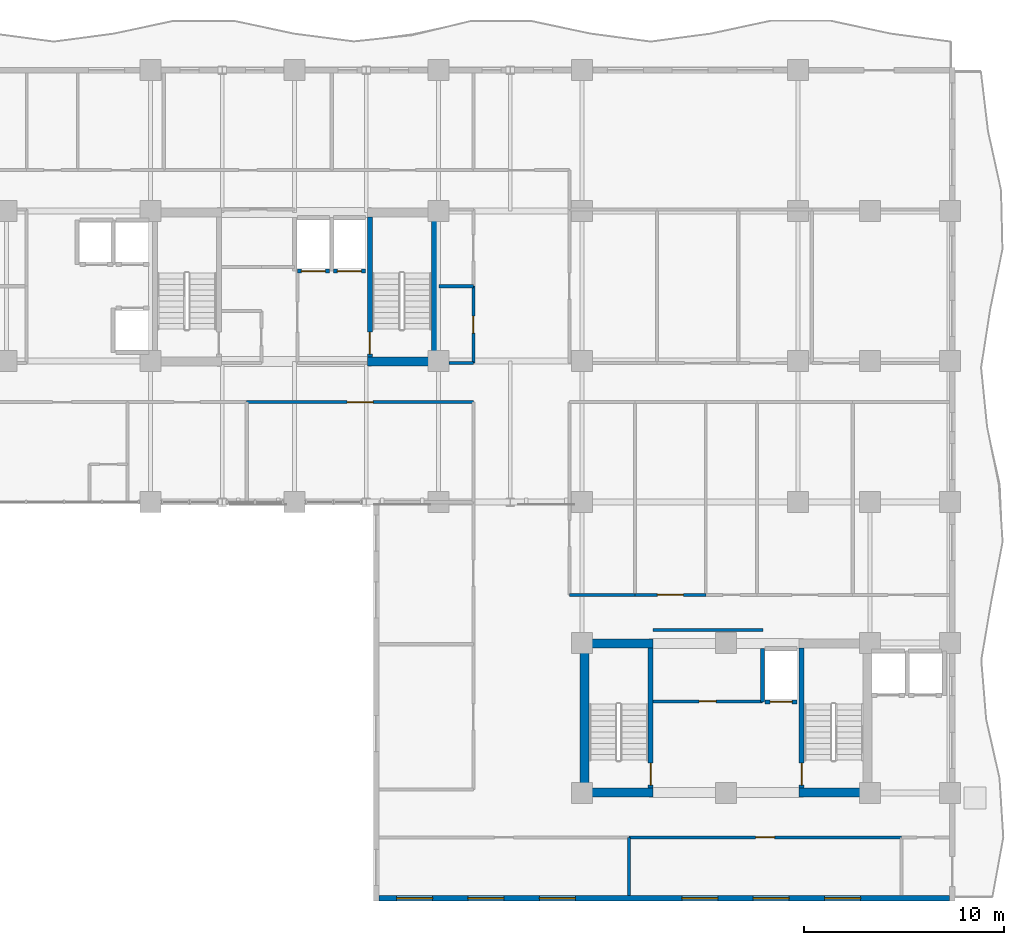
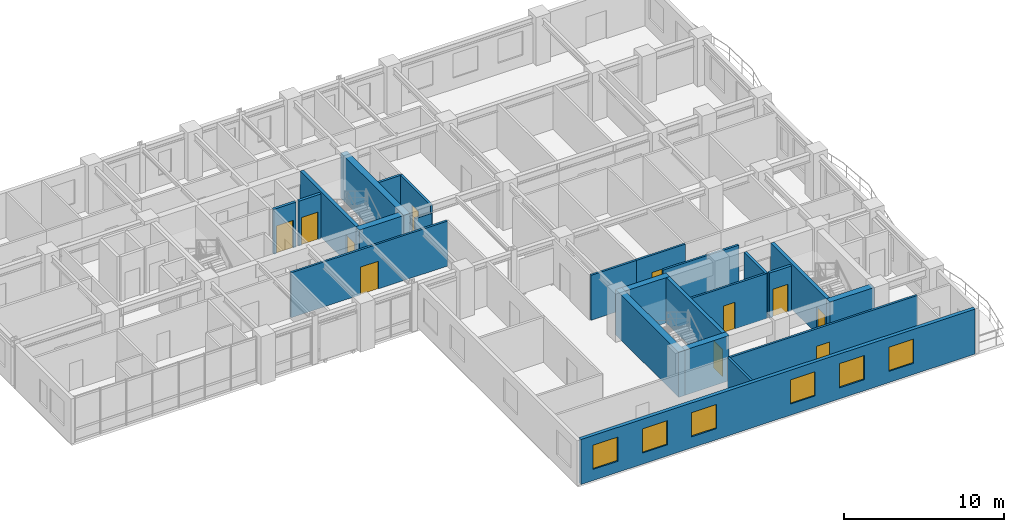
# One storey, part 10 of 17: 24 walls, 11 doors, 6 windows, 17 openings.
"""IFC4 building model written with IfcOpenShell, lengths in metres."""

from ifc_helpers import new_model, si_unit, direction, frame, frame_2d, origin, place, context, subcontext, project, spatial, rectangle, extrude, material, layer, layer_set, type_object, element, fill, save


model = new_model("IFC4")

# Units and contexts
model_context = context("Model", 3, precision=1e-05, world=origin(), true_north=direction((0.0, 1.0)))
body_context = subcontext(model_context, "Body", "Model", "MODEL_VIEW")
ifc_project = project(units=[si_unit("LENGTHUNIT", "METRE"), si_unit("AREAUNIT", "SQUARE_METRE"), si_unit("VOLUMEUNIT", "CUBIC_METRE"), si_unit("PLANEANGLEUNIT", "RADIAN"), si_unit("MASSUNIT", "GRAM", prefix="KILO")], contexts=[model_context])

# Site, building, storey
site_placement = place(None, origin())
site = spatial("IfcSite", under=ifc_project, at=site_placement, CompositionType="ELEMENT")
building_placement = place(site_placement, origin())
building = spatial("IfcBuilding", under=site, at=building_placement, Name="Kaliganga Portal Commons", CompositionType="ELEMENT")
storey_placement = place(building_placement, frame((0.0, 0.0, 143.89990234375)))
storey = spatial("IfcBuildingStorey", under=building, at=storey_placement, Name="L36", CompositionType="ELEMENT", Elevation=143.89990234375)

# Walls
ifc_material_1 = material(Name="Concrete C60/75", Category="concrete")
ifc_layer_1 = layer(ifc_material_1, 0.449951171875)
ifc_layer_set_1 = layer_set([ifc_layer_1], Name="Concrete C60/75")
wall_type_1 = type_object("IfcWallType", Name="WL-CORE-450", PredefinedType="SHEAR", material=ifc_layer_set_1)
wall_1_placement = place(storey_placement, frame((28.675048828125, 28.39990234375, 0.0), z_axis=(0.0, 0.0, 1.0), x_axis=(0.0, 1.0, 0.0)))
element("IfcWall", 1, at=wall_1_placement, inside=storey, type_object=wall_type_1, Name="Core A East Shear Wall L36", PredefinedType="SHEAR", context=body_context, shape_type="SweptSolid", body=[
    extrude(rectangle(XDim=7.900146484375, YDim=0.449951171875, at=frame_2d((3.9501953125, 0.0))), origin(), (0.0, 0.0, 1.0), 3.460205078125),
])
wall_2_placement = place(storey_placement, frame((25.25, 28.625, 0.0), z_axis=(0.0, 0.0, 1.0), x_axis=(1.0, 0.0, 0.0)))
element("IfcWall", 2, at=wall_2_placement, inside=storey, type_object=wall_type_1, Name="Core A S-East Shear Wall L36", PredefinedType="SHEAR", context=body_context, shape_type="SweptSolid", body=[
    extrude(rectangle(XDim=3.199951171875, YDim=0.449951171875, at=frame_2d((1.60009765625, 0.0))), origin(), (0.0, 0.0, 1.0), 3.460205078125),
])
wall_3_placement = place(storey_placement, frame((36.125, 6.85009765625, 0.0), z_axis=(0.0, 0.0, 1.0), x_axis=(0.0, 1.0, 0.0)))
element("IfcWall", 3, at=wall_3_placement, inside=storey, type_object=wall_type_1, Name="Core B West Shear Wall L36", PredefinedType="SHEAR", context=body_context, shape_type="SweptSolid", body=[
    extrude(rectangle(XDim=7.89990234375, YDim=0.449951171875, at=frame_2d((3.949951171875, 0.0))), origin(), (0.0, 0.0, 1.0), 3.460205078125),
])
for number, where, z_axis, x_axis, name in (
    (4, (36.35009765625, 7.074951171875, 0.0), (0.0, 0.0, 1.0), (1.0, 0.0, 0.0), "Core B S-West Shear Wall L36"),
    (5, (46.85009765625, 7.074951171875, 0.0), (0.0, 0.0, 1.0), (1.0, 0.0, 0.0), "Core B S-East Shear Wall L36"),
    (6, (36.35009765625, 14.52490234375, 0.0), (0.0, 0.0, 1.0), (1.0, 0.0, 0.0), "Core B N-West Shear Wall L36"),
):
    element("IfcWall", number, at=place(storey_placement, frame(where, z_axis=z_axis, x_axis=x_axis)), inside=storey, type_object=wall_type_1, Name=name, PredefinedType="SHEAR", context=body_context, shape_type="SweptSolid", body=[
        extrude(rectangle(XDim=3.199951171875, YDim=0.449951171875, at=frame_2d((1.60009765625, 0.0))), origin(), (0.0, 0.0, 1.0), 3.460205078125),
    ])

# Wall, openings, windows
ifc_material_2 = material(Name="Insulated Aluminium-Clad Spandrel Assembly", Category="aluminium")
ifc_layer_2 = layer(ifc_material_2, 0.260009765625)
ifc_layer_set_2 = layer_set([ifc_layer_2], Name="Insulated Aluminium-Clad Spandrel Assembly")
wall_type_2 = type_object("IfcWallType", Name="WL-EXT-SPAND-260", PredefinedType="STANDARD", material=ifc_layer_set_2)
wall_4_placement = place(storey_placement, frame((54.364990234375, 1.800048828125, 0.0), z_axis=(0.0, 0.0, 1.0), x_axis=(-1.0, 0.0, 0.0)))
wall_4 = element("IfcWall", 7, at=wall_4_placement, inside=storey, type_object=wall_type_2, Name="Exterior Envelope Wall L36 P1-E00-S1", PredefinedType="STANDARD", context=body_context, shape_type="SweptSolid", body=[
    extrude(rectangle(XDim=28.530029296875, YDim=0.260009765625, at=frame_2d((14.26513671875, 0.0))), origin(), (0.0, 0.0, 1.0), 3.440185546875),
])
opening_1_placement = place(wall_4_placement, frame((4.449462890625, 0.0, 0.85009765625)))
opening_1 = element("IfcOpeningElement", 8, at=opening_1_placement, cuts=wall_4, Name="Opening W-01", PredefinedType="OPENING", context=body_context, shape_type="SweptSolid", body=[
    extrude(rectangle(XDim=1.800048828125, YDim=1.85009765625, at=frame_2d((0.89990234375, 0.925048828125))), frame((0.0, 0.14013671875, 0.0), z_axis=(0.0, -1.0, 0.0), x_axis=(1.0, 0.0, 0.0)), (0.0, 0.0, 1.0), 0.280029296875),
])
opening_2_placement = place(wall_4_placement, frame((8.015625, 0.0, 0.85009765625)))
opening_2 = element("IfcOpeningElement", 9, at=opening_2_placement, cuts=wall_4, Name="Opening W-01", PredefinedType="OPENING", context=body_context, shape_type="SweptSolid", body=[
    extrude(rectangle(XDim=1.800048828125, YDim=1.85009765625, at=frame_2d((0.89990234375, 0.925048828125))), frame((0.0, 0.14013671875, 0.0), z_axis=(0.0, -1.0, 0.0), x_axis=(1.0, 0.0, 0.0)), (0.0, 0.0, 1.0), 0.280029296875),
])
opening_3_placement = place(wall_4_placement, frame((11.581787109375, 0.0, 0.85009765625)))
opening_3 = element("IfcOpeningElement", 10, at=opening_3_placement, cuts=wall_4, Name="Opening W-01", PredefinedType="OPENING", context=body_context, shape_type="SweptSolid", body=[
    extrude(rectangle(XDim=1.800048828125, YDim=1.85009765625, at=frame_2d((0.89990234375, 0.925048828125))), frame((0.0, 0.14013671875, 0.0), z_axis=(0.0, -1.0, 0.0), x_axis=(1.0, 0.0, 0.0)), (0.0, 0.0, 1.0), 0.280029296875),
])
opening_4_placement = place(wall_4_placement, frame((18.71435546875, 0.0, 0.85009765625)))
opening_4 = element("IfcOpeningElement", 11, at=opening_4_placement, cuts=wall_4, Name="Opening W-01", PredefinedType="OPENING", context=body_context, shape_type="SweptSolid", body=[
    extrude(rectangle(XDim=1.800048828125, YDim=1.85009765625, at=frame_2d((0.89990234375, 0.925048828125))), frame((0.0, 0.14013671875, 0.0), z_axis=(0.0, -1.0, 0.0), x_axis=(1.0, 0.0, 0.0)), (0.0, 0.0, 1.0), 0.280029296875),
])
opening_5_placement = place(wall_4_placement, frame((22.280517578125, 0.0, 0.85009765625)))
opening_5 = element("IfcOpeningElement", 12, at=opening_5_placement, cuts=wall_4, Name="Opening W-01", PredefinedType="OPENING", context=body_context, shape_type="SweptSolid", body=[
    extrude(rectangle(XDim=1.800048828125, YDim=1.85009765625, at=frame_2d((0.89990234375, 0.925048828125))), frame((0.0, 0.14013671875, 0.0), z_axis=(0.0, -1.0, 0.0), x_axis=(1.0, 0.0, 0.0)), (0.0, 0.0, 1.0), 0.280029296875),
])
opening_6_placement = place(wall_4_placement, frame((25.846923828125, 0.0, 0.85009765625)))
opening_6 = element("IfcOpeningElement", 13, at=opening_6_placement, cuts=wall_4, Name="Opening W-01", PredefinedType="OPENING", context=body_context, shape_type="SweptSolid", body=[
    extrude(rectangle(XDim=1.800048828125, YDim=1.85009765625, at=frame_2d((0.89990234375, 0.925048828125))), frame((0.0, 0.14013671875, 0.0), z_axis=(0.0, -1.0, 0.0), x_axis=(1.0, 0.0, 0.0)), (0.0, 0.0, 1.0), 0.280029296875),
])
ifc_material_3 = material(Name="Thermally Broken Aluminium and Low-E Double Glazing", Category="aluminium")
window_type = type_object("IfcWindowType", Name="WIN-STD-1800", PartitioningType="DOUBLE_PANEL_VERTICAL", PredefinedType="WINDOW", material=ifc_material_3)
window_1_placement = place(opening_1_placement, origin())
window_1 = element("IfcWindow", 14, at=window_1_placement, inside=storey, type_object=window_type, Name="Facade Window L36-P1E00S1-01", OverallHeight=1.85009765625, OverallWidth=1.800048828125, PartitioningType="SINGLE_PANEL", PredefinedType="WINDOW", context=body_context, shape_type="SweptSolid", body=[
    extrude(rectangle(XDim=1.800048828125, YDim=1.85009765625, at=frame_2d((0.89990234375, 0.925048828125))), frame((0.0, 0.030029296875, 0.0), z_axis=(0.0, -1.0, 0.0), x_axis=(1.0, 0.0, 0.0)), (0.0, 0.0, 1.0), 0.06005859375),
])
fill(opening_1, window_1)
window_2_placement = place(opening_2_placement, origin())
window_2 = element("IfcWindow", 15, at=window_2_placement, inside=storey, type_object=window_type, Name="Facade Window L36-P1E00S1-02", OverallHeight=1.85009765625, OverallWidth=1.800048828125, PartitioningType="SINGLE_PANEL", PredefinedType="WINDOW", context=body_context, shape_type="SweptSolid", body=[
    extrude(rectangle(XDim=1.800048828125, YDim=1.85009765625, at=frame_2d((0.89990234375, 0.925048828125))), frame((0.0, 0.030029296875, 0.0), z_axis=(0.0, -1.0, 0.0), x_axis=(1.0, 0.0, 0.0)), (0.0, 0.0, 1.0), 0.06005859375),
])
fill(opening_2, window_2)
window_3_placement = place(opening_3_placement, origin())
window_3 = element("IfcWindow", 16, at=window_3_placement, inside=storey, type_object=window_type, Name="Facade Window L36-P1E00S1-03", OverallHeight=1.85009765625, OverallWidth=1.800048828125, PartitioningType="SINGLE_PANEL", PredefinedType="WINDOW", context=body_context, shape_type="SweptSolid", body=[
    extrude(rectangle(XDim=1.800048828125, YDim=1.85009765625, at=frame_2d((0.89990234375, 0.925048828125))), frame((0.0, 0.030029296875, 0.0), z_axis=(0.0, -1.0, 0.0), x_axis=(1.0, 0.0, 0.0)), (0.0, 0.0, 1.0), 0.06005859375),
])
fill(opening_3, window_3)
window_4_placement = place(opening_4_placement, origin())
window_4 = element("IfcWindow", 17, at=window_4_placement, inside=storey, type_object=window_type, Name="Facade Window L36-P1E00S1-05", OverallHeight=1.85009765625, OverallWidth=1.800048828125, PartitioningType="SINGLE_PANEL", PredefinedType="WINDOW", context=body_context, shape_type="SweptSolid", body=[
    extrude(rectangle(XDim=1.800048828125, YDim=1.85009765625, at=frame_2d((0.89990234375, 0.925048828125))), frame((0.0, 0.030029296875, 0.0), z_axis=(0.0, -1.0, 0.0), x_axis=(1.0, 0.0, 0.0)), (0.0, 0.0, 1.0), 0.06005859375),
])
fill(opening_4, window_4)
window_5_placement = place(opening_5_placement, origin())
window_5 = element("IfcWindow", 18, at=window_5_placement, inside=storey, type_object=window_type, Name="Facade Window L36-P1E00S1-06", OverallHeight=1.85009765625, OverallWidth=1.800048828125, PartitioningType="SINGLE_PANEL", PredefinedType="WINDOW", context=body_context, shape_type="SweptSolid", body=[
    extrude(rectangle(XDim=1.800048828125, YDim=1.85009765625, at=frame_2d((0.89990234375, 0.925048828125))), frame((0.0, 0.030029296875, 0.0), z_axis=(0.0, -1.0, 0.0), x_axis=(1.0, 0.0, 0.0)), (0.0, 0.0, 1.0), 0.06005859375),
])
fill(opening_5, window_5)
window_6_placement = place(opening_6_placement, origin())
window_6 = element("IfcWindow", 19, at=window_6_placement, inside=storey, type_object=window_type, Name="Facade Window L36-P1E00S1-07", OverallHeight=1.85009765625, OverallWidth=1.800048828125, PartitioningType="SINGLE_PANEL", PredefinedType="WINDOW", context=body_context, shape_type="SweptSolid", body=[
    extrude(rectangle(XDim=1.800048828125, YDim=1.85009765625, at=frame_2d((0.89990234375, 0.925048828125))), frame((0.0, 0.030029296875, 0.0), z_axis=(0.0, -1.0, 0.0), x_axis=(1.0, 0.0, 0.0)), (0.0, 0.0, 1.0), 0.06005859375),
])
fill(opening_6, window_6)

# Wall, opening, door
ifc_material_4 = material(Name="Fire-Rated Gypsum Board on Steel Stud", Category="steel")
ifc_layer_3 = layer(ifc_material_4, 0.14990234375)
ifc_layer_set_3 = layer_set([ifc_layer_3], Name="Fire-Rated Gypsum Board on Steel Stud")
wall_type_3 = type_object("IfcWallType", Name="WL-PART-CORR-150", PredefinedType="PARTITIONING", material=ifc_layer_set_3)
wall_5_placement = place(storey_placement, frame((38.340087890625, 4.840087890625, 0.0), z_axis=(0.0, 0.0, 1.0), x_axis=(1.0, 0.0, 0.0)))
wall_5 = element("IfcWall", 20, at=wall_5_placement, inside=storey, type_object=wall_type_3, Name="Interior Partition L36-007", PredefinedType="PARTITIONING", context=body_context, shape_type="SweptSolid", body=[
    extrude(rectangle(XDim=13.619873046875, YDim=0.14990234375, at=frame_2d((6.81005859375, 0.0))), origin(), (0.0, 0.0, 1.0), 3.440185546875),
])
opening_7_placement = place(wall_5_placement, frame((6.3349609375, 0.0, 0.0)))
opening_7 = element("IfcOpeningElement", 21, at=opening_7_placement, cuts=wall_5, Name="Opening UD-01", PredefinedType="OPENING", context=body_context, shape_type="SweptSolid", body=[
    extrude(rectangle(XDim=0.949951171875, YDim=2.10009765625, at=frame_2d((0.47509765625, 1.050048828125))), frame((0.0, 0.0849609375, 0.0), z_axis=(0.0, -1.0, 0.0), x_axis=(1.0, 0.0, 0.0)), (0.0, 0.0, 1.0), 0.169921875),
])
ifc_material_5 = material(Name="Solid-Core Timber Acoustic Fire Door", Category="wood")
door_type_1 = type_object("IfcDoorType", Name="DR-UNIT-950", OperationType="NOTDEFINED", PredefinedType="DOOR", material=ifc_material_5)
door_1_placement = place(opening_7_placement, origin())
door_1 = element("IfcDoor", 22, at=door_1_placement, inside=storey, type_object=door_type_1, Name="Interior Door L36-BS02", OperationType="SINGLE_SWING_LEFT", OverallHeight=2.10009765625, OverallWidth=0.949951171875, PredefinedType="DOOR", context=body_context, shape_type="SweptSolid", body=[
    extrude(rectangle(XDim=0.949951171875, YDim=2.10009765625, at=frame_2d((0.47509765625, 1.050048828125))), frame((0.0, 0.02490234375, 0.0), z_axis=(0.0, -1.0, 0.0), x_axis=(1.0, 0.0, 0.0)), (0.0, 0.0, 1.0), 0.050048828125),
])
fill(opening_7, door_1)

wall_6_placement = place(storey_placement, frame((19.219970703125, 26.60009765625, 0.0), z_axis=(0.0, 0.0, 1.0), x_axis=(1.0, 0.0, 0.0)))
wall_6 = element("IfcWall", 23, at=wall_6_placement, inside=storey, type_object=wall_type_3, Name="Interior Partition L36-009", PredefinedType="PARTITIONING", context=body_context, shape_type="SweptSolid", body=[
    extrude(rectangle(XDim=11.340087890625, YDim=0.14990234375, at=frame_2d((5.669921875, 0.0))), origin(), (0.0, 0.0, 1.0), 3.440185546875),
])
opening_8_placement = place(wall_6_placement, frame((5.02001953125, 0.0, 0.0)))
opening_8 = element("IfcOpeningElement", 24, at=opening_8_placement, cuts=wall_6, Name="Opening RD-03", PredefinedType="OPENING", context=body_context, shape_type="SweptSolid", body=[
    extrude(rectangle(XDim=1.300048828125, YDim=2.1201171875, at=frame_2d((0.64990234375, 1.06005859375))), frame((0.0, 0.0849609375, 0.0), z_axis=(0.0, -1.0, 0.0), x_axis=(1.0, 0.0, 0.0)), (0.0, 0.0, 1.0), 0.169921875),
])
ifc_material_6 = material(Name="Glazed Timber Seminar Vision Door", Category="wood")
door_type_2 = type_object("IfcDoorType", Name="DR-STUDY-1300", OperationType="DOUBLE_DOOR_SINGLE_SWING", PredefinedType="DOOR", material=ifc_material_6)
door_2_placement = place(opening_8_placement, origin())
door_2 = element("IfcDoor", 25, at=door_2_placement, inside=storey, type_object=door_type_2, Name="Interior Door L36-AS04", OperationType="DOUBLE_DOOR_SINGLE_SWING", OverallHeight=2.1201171875, OverallWidth=1.300048828125, PredefinedType="DOOR", context=body_context, shape_type="SweptSolid", body=[
    extrude(rectangle(XDim=1.300048828125, YDim=2.1201171875, at=frame_2d((0.64990234375, 1.06005859375))), frame((0.0, 0.02490234375, 0.0), z_axis=(0.0, -1.0, 0.0), x_axis=(1.0, 0.0, 0.0)), (0.0, 0.0, 1.0), 0.050048828125),
])
fill(opening_8, door_2)

wall_7_placement = place(storey_placement, frame((39.5400390625, 11.639892578125, 0.0), z_axis=(0.0, 0.0, 1.0), x_axis=(1.0, 0.0, 0.0)))
wall_7 = element("IfcWall", 26, at=wall_7_placement, inside=storey, type_object=wall_type_3, Name="Interior Partition L36-025", PredefinedType="PARTITIONING", context=body_context, shape_type="SweptSolid", body=[
    extrude(rectangle(XDim=5.469970703125, YDim=0.14990234375, at=frame_2d((2.73486328125, 0.0))), origin(), (0.0, 0.0, 1.0), 3.440185546875),
])
opening_9_placement = place(wall_7_placement, frame((2.31005859375, 0.0, 0.0)))
opening_9 = element("IfcOpeningElement", 27, at=opening_9_placement, cuts=wall_7, Name="Opening WD-01", PredefinedType="OPENING", context=body_context, shape_type="SweptSolid", body=[
    extrude(rectangle(XDim=0.85009765625, YDim=2.0400390625, at=frame_2d((0.425048828125, 1.02001953125))), frame((0.0, 0.0849609375, 0.0), z_axis=(0.0, -1.0, 0.0), x_axis=(1.0, 0.0, 0.0)), (0.0, 0.0, 1.0), 0.169921875),
])
ifc_material_7 = material(Name="Moisture-Resistant Laminate Timber Door", Category="wood")
door_type_3 = type_object("IfcDoorType", Name="DR-WET-850", OperationType="NOTDEFINED", PredefinedType="DOOR", material=ifc_material_7)
door_3_placement = place(opening_9_placement, origin())
door_3 = element("IfcDoor", 28, at=door_3_placement, inside=storey, type_object=door_type_3, Name="Interior Door L36-CREC_B1", OperationType="SINGLE_SWING_RIGHT", OverallHeight=2.0400390625, OverallWidth=0.85009765625, PredefinedType="DOOR", context=body_context, shape_type="SweptSolid", body=[
    extrude(rectangle(XDim=0.85009765625, YDim=2.0400390625, at=frame_2d((0.425048828125, 1.02001953125))), frame((0.0, 0.02490234375, 0.0), z_axis=(0.0, -1.0, 0.0), x_axis=(1.0, 0.0, 0.0)), (0.0, 0.0, 1.0), 0.050048828125),
])
fill(opening_9, door_3)

# Wall
wall_8_placement = place(storey_placement, frame((39.5400390625, 15.199951171875, 0.0), z_axis=(0.0, 0.0, 1.0), x_axis=(1.0, 0.0, 0.0)))
element("IfcWall", 29, at=wall_8_placement, inside=storey, type_object=wall_type_3, Name="Interior Partition L36-026", PredefinedType="PARTITIONING", context=body_context, shape_type="SweptSolid", body=[
    extrude(rectangle(XDim=5.5, YDim=0.14990234375, at=frame_2d((2.75, 0.0))), origin(), (0.0, 0.0, 1.0), 3.440185546875),
])

# Wall, opening, door
wall_9_placement = place(storey_placement, frame((30.56005859375, 28.56005859375, 0.0), z_axis=(0.0, 0.0, 1.0), x_axis=(0.0, 1.0, 0.0)))
wall_9 = element("IfcWall", 30, at=wall_9_placement, inside=storey, type_object=wall_type_3, Name="Interior Partition L36-041", PredefinedType="PARTITIONING", context=body_context, shape_type="SweptSolid", body=[
    extrude(rectangle(XDim=3.83984375, YDim=0.14990234375, at=frame_2d((1.919921875, 0.0))), origin(), (0.0, 0.0, 1.0), 3.440185546875),
])
opening_10_placement = place(wall_9_placement, frame((1.489990234375, 0.0, 0.0)))
opening_10 = element("IfcOpeningElement", 31, at=opening_10_placement, cuts=wall_9, Name="Opening WD-02", PredefinedType="OPENING", context=body_context, shape_type="SweptSolid", body=[
    extrude(rectangle(XDim=0.860107421875, YDim=2.02001953125, at=frame_2d((0.43017578125, 1.010009765625))), frame((0.0, 0.0849609375, 0.0), z_axis=(0.0, -1.0, 0.0), x_axis=(1.0, 0.0, 0.0)), (0.0, 0.0, 1.0), 0.169921875),
])
ifc_material_8 = material(Name="Fire-Rated Utility Closet Door", Category="wood")
door_type_4 = type_object("IfcDoorType", Name="DR-STORE-800", OperationType="NOTDEFINED", PredefinedType="DOOR", material=ifc_material_8)
door_4_placement = place(opening_10_placement, origin())
door_4 = element("IfcDoor", 32, at=door_4_placement, inside=storey, type_object=door_type_4, Name="Interior Door L36-CSRV_A1", OperationType="SINGLE_SWING_RIGHT", OverallHeight=2.02001953125, OverallWidth=0.860107421875, PredefinedType="DOOR", context=body_context, shape_type="SweptSolid", body=[
    extrude(rectangle(XDim=0.860107421875, YDim=2.02001953125, at=frame_2d((0.43017578125, 1.010009765625))), frame((0.0, 0.02490234375, 0.0), z_axis=(0.0, -1.0, 0.0), x_axis=(1.0, 0.0, 0.0)), (0.0, 0.0, 1.0), 0.050048828125),
])
fill(opening_10, door_4)

wall_10_placement = place(storey_placement, frame((38.639892578125, 16.9599609375, 0.0), z_axis=(0.0, 0.0, 1.0), x_axis=(1.0, 0.0, 0.0)))
wall_10 = element("IfcWall", 33, at=wall_10_placement, inside=storey, type_object=wall_type_3, Name="Interior Partition L36-045", PredefinedType="PARTITIONING", context=body_context, shape_type="SweptSolid", body=[
    extrude(rectangle(XDim=3.5400390625, YDim=0.14990234375, at=frame_2d((1.77001953125, 0.0))), origin(), (0.0, 0.0, 1.0), 3.440185546875),
])
opening_11_placement = place(wall_10_placement, frame((1.1201171875, 0.0, 0.0)))
opening_11 = element("IfcOpeningElement", 34, at=opening_11_placement, cuts=wall_10, Name="Opening RD-03", PredefinedType="OPENING", context=body_context, shape_type="SweptSolid", body=[
    extrude(rectangle(XDim=1.300048828125, YDim=2.1201171875, at=frame_2d((0.64990234375, 1.06005859375))), frame((0.0, 0.0849609375, 0.0), z_axis=(0.0, -1.0, 0.0), x_axis=(1.0, 0.0, 0.0)), (0.0, 0.0, 1.0), 0.169921875),
])
door_5_placement = place(opening_11_placement, origin())
door_5 = element("IfcDoor", 35, at=door_5_placement, inside=storey, type_object=door_type_2, Name="Interior Door L36-BM02", OperationType="DOUBLE_DOOR_SINGLE_SWING", OverallHeight=2.1201171875, OverallWidth=1.300048828125, PredefinedType="DOOR", context=body_context, shape_type="SweptSolid", body=[
    extrude(rectangle(XDim=1.300048828125, YDim=2.1201171875, at=frame_2d((0.64990234375, 1.06005859375))), frame((0.0, 0.02490234375, 0.0), z_axis=(0.0, -1.0, 0.0), x_axis=(1.0, 0.0, 0.0)), (0.0, 0.0, 1.0), 0.050048828125),
])
fill(opening_11, door_5)

# Walls
wall_11_placement = place(storey_placement, frame((35.360107421875, 16.9599609375, 0.0), z_axis=(0.0, 0.0, 1.0), x_axis=(1.0, 0.0, 0.0)))
element("IfcWall", 36, at=wall_11_placement, inside=storey, type_object=wall_type_3, Name="Interior Partition L36-047", PredefinedType="PARTITIONING", context=body_context, shape_type="SweptSolid", body=[
    extrude(rectangle(XDim=3.27978515625, YDim=0.14990234375, at=frame_2d((1.639892578125, 0.0))), origin(), (0.0, 0.0, 1.0), 3.440185546875),
])
wall_12_placement = place(storey_placement, frame((29.324951171875, 28.56005859375, 0.0), z_axis=(0.0, 0.0, 1.0), x_axis=(1.0, 0.0, 0.0)))
element("IfcWall", 37, at=wall_12_placement, inside=storey, type_object=wall_type_3, Name="Interior Partition L36-058", PredefinedType="PARTITIONING", context=body_context, shape_type="SweptSolid", body=[
    extrude(rectangle(XDim=1.235107421875, YDim=0.14990234375, at=frame_2d((0.61767578125, 0.0))), origin(), (0.0, 0.0, 1.0), 2.840087890625),
])
ifc_material_9 = material(Name="Twin-Stud Acoustic Gypsum Partition", Category="gypsum")
ifc_layer_4 = layer(ifc_material_9, 0.1650390625)
ifc_layer_set_4 = layer_set([ifc_layer_4], Name="Twin-Stud Acoustic Gypsum Partition")
wall_type_4 = type_object("IfcWallType", Name="WL-PART-UNIT-165", PredefinedType="PARTITIONING", material=ifc_layer_set_4)
wall_13_placement = place(storey_placement, frame((38.340087890625, 1.931884765625, 0.0), z_axis=(0.0, 0.0, 1.0), x_axis=(0.0, 1.0, 0.0)))
element("IfcWall", 38, at=wall_13_placement, inside=storey, type_object=wall_type_4, Name="Interior Partition L36-086", PredefinedType="PARTITIONING", context=body_context, shape_type="SweptSolid", body=[
    extrude(rectangle(XDim=2.908203125, YDim=0.1650390625, at=frame_2d((1.4541015625, 0.0))), origin(), (0.0, 0.0, 1.0), 3.440185546875),
])
wall_14_placement = place(storey_placement, frame((28.840087890625, 32.39990234375, 0.0), z_axis=(0.0, 0.0, 1.0), x_axis=(1.0, 0.0, 0.0)))
element("IfcWall", 39, at=wall_14_placement, inside=storey, type_object=wall_type_4, Name="Interior Partition L36-088", PredefinedType="PARTITIONING", context=body_context, shape_type="SweptSolid", body=[
    extrude(rectangle(XDim=1.719970703125, YDim=0.1650390625, at=frame_2d((0.85986328125, 0.0))), origin(), (0.0, 0.0, 1.0), 3.440185546875),
])

# Wall, opening, door
ifc_material_10 = material(Name="Fire-Rated Shaftwall Masonry Assembly", Category="masonry")
ifc_layer_5 = layer(ifc_material_10, 0.199951171875)
ifc_layer_set_5 = layer_set([ifc_layer_5], Name="Fire-Rated Shaftwall Masonry Assembly")
wall_type_5 = type_object("IfcWallType", Name="WL-SHAFT-200", PredefinedType="PARTITIONING", material=ifc_layer_set_5)
wall_15_placement = place(storey_placement, frame((21.75, 33.159912109375, 0.0), z_axis=(0.0, 0.0, 1.0), x_axis=(1.0, 0.0, 0.0)))
wall_15 = element("IfcWall", 40, at=wall_15_placement, inside=storey, type_object=wall_type_5, Name="Lift FFL-1 Hoistway Shaft Wall L36-S", PredefinedType="PARTITIONING", context=body_context, shape_type="SweptSolid", body=[
    extrude(rectangle(XDim=1.60009765625, YDim=0.199951171875, at=frame_2d((0.800048828125, 0.0))), origin(), (0.0, 0.0, 1.0), 3.440185546875),
])
opening_12_placement = place(wall_15_placement, frame((0.199951171875, 0.0, 0.0)))
opening_12 = element("IfcOpeningElement", 41, at=opening_12_placement, cuts=wall_15, Name="Opening LD-02", PredefinedType="OPENING", context=body_context, shape_type="SweptSolid", body=[
    extrude(rectangle(XDim=1.199951171875, YDim=2.1201171875, at=frame_2d((0.60009765625, 1.06005859375))), frame((0.0, 0.10986328125, 0.0), z_axis=(0.0, -1.0, 0.0), x_axis=(1.0, 0.0, 0.0)), (0.0, 0.0, 1.0), 0.219970703125),
])
ifc_material_11 = material(Name="Brushed Stainless Steel 316 Stretcher Lift Landing Door", Category="steel")
door_type_5 = type_object("IfcDoorType", Name="DR-LIFT-1200", OperationType="SLIDING_TO_RIGHT", PredefinedType="DOOR", material=ifc_material_11)
door_6_placement = place(opening_12_placement, origin())
door_6 = element("IfcDoor", 42, at=door_6_placement, inside=storey, type_object=door_type_5, Name="Lift FFL-1 Sliding Landing Door L36", OperationType="SLIDING_TO_RIGHT", OverallHeight=2.1201171875, OverallWidth=1.199951171875, PredefinedType="DOOR", context=body_context, shape_type="SweptSolid", body=[
    extrude(rectangle(XDim=1.199951171875, YDim=2.1201171875, at=frame_2d((0.60009765625, 1.06005859375))), frame((0.0, 0.02490234375, 0.0), z_axis=(0.0, -1.0, 0.0), x_axis=(1.0, 0.0, 0.0)), (0.0, 0.0, 1.0), 0.050048828125),
])
fill(opening_12, door_6)

wall_16_placement = place(storey_placement, frame((23.550048828125, 33.159912109375, 0.0), z_axis=(0.0, 0.0, 1.0), x_axis=(1.0, 0.0, 0.0)))
wall_16 = element("IfcWall", 43, at=wall_16_placement, inside=storey, type_object=wall_type_5, Name="Lift FFL-2 Hoistway Shaft Wall L36-S", PredefinedType="PARTITIONING", context=body_context, shape_type="SweptSolid", body=[
    extrude(rectangle(XDim=1.599853515625, YDim=0.199951171875, at=frame_2d((0.7998046875, 0.0))), origin(), (0.0, 0.0, 1.0), 3.440185546875),
])
opening_13_placement = place(wall_16_placement, frame((0.199951171875, 0.0, 0.0)))
opening_13 = element("IfcOpeningElement", 44, at=opening_13_placement, cuts=wall_16, Name="Opening LD-02", PredefinedType="OPENING", context=body_context, shape_type="SweptSolid", body=[
    extrude(rectangle(XDim=1.199951171875, YDim=2.1201171875, at=frame_2d((0.60009765625, 1.06005859375))), frame((0.0, 0.10986328125, 0.0), z_axis=(0.0, -1.0, 0.0), x_axis=(1.0, 0.0, 0.0)), (0.0, 0.0, 1.0), 0.219970703125),
])
door_7_placement = place(opening_13_placement, origin())
door_7 = element("IfcDoor", 45, at=door_7_placement, inside=storey, type_object=door_type_5, Name="Lift FFL-2 Sliding Landing Door L36", OperationType="SLIDING_TO_RIGHT", OverallHeight=2.1201171875, OverallWidth=1.199951171875, PredefinedType="DOOR", context=body_context, shape_type="SweptSolid", body=[
    extrude(rectangle(XDim=1.199951171875, YDim=2.1201171875, at=frame_2d((0.60009765625, 1.06005859375))), frame((0.0, 0.02490234375, 0.0), z_axis=(0.0, -1.0, 0.0), x_axis=(1.0, 0.0, 0.0)), (0.0, 0.0, 1.0), 0.050048828125),
])
fill(opening_13, door_7)

wall_17_placement = place(storey_placement, frame((45.14990234375, 11.610107421875, 0.0), z_axis=(0.0, 0.0, 1.0), x_axis=(1.0, 0.0, 0.0)))
wall_17 = element("IfcWall", 46, at=wall_17_placement, inside=storey, type_object=wall_type_5, Name="Lift SL-B1 Hoistway Shaft Wall L36-S", PredefinedType="PARTITIONING", context=body_context, shape_type="SweptSolid", body=[
    extrude(rectangle(XDim=1.60009765625, YDim=0.199951171875, at=frame_2d((0.800048828125, 0.0))), origin(), (0.0, 0.0, 1.0), 3.440185546875),
])
opening_14_placement = place(wall_17_placement, frame((0.25, 0.0, 0.0)))
opening_14 = element("IfcOpeningElement", 47, at=opening_14_placement, cuts=wall_17, Name="Opening LD-01", PredefinedType="OPENING", context=body_context, shape_type="SweptSolid", body=[
    extrude(rectangle(XDim=1.10009765625, YDim=2.1201171875, at=frame_2d((0.550048828125, 1.06005859375))), frame((0.0, 0.10986328125, 0.0), z_axis=(0.0, -1.0, 0.0), x_axis=(1.0, 0.0, 0.0)), (0.0, 0.0, 1.0), 0.219970703125),
])
ifc_material_12 = material(Name="Brushed Stainless Steel 316 Lift Landing Door", Category="steel")
door_type_6 = type_object("IfcDoorType", Name="DR-LIFT-1100", OperationType="SLIDING_TO_LEFT", PredefinedType="DOOR", material=ifc_material_12)
door_8_placement = place(opening_14_placement, origin())
door_8 = element("IfcDoor", 48, at=door_8_placement, inside=storey, type_object=door_type_6, Name="Lift SL-B1 Sliding Landing Door L36", OperationType="SLIDING_TO_LEFT", OverallHeight=2.1201171875, OverallWidth=1.10009765625, PredefinedType="DOOR", context=body_context, shape_type="SweptSolid", body=[
    extrude(rectangle(XDim=1.10009765625, YDim=2.1201171875, at=frame_2d((0.550048828125, 1.06005859375))), frame((0.0, 0.02490234375, 0.0), z_axis=(0.0, -1.0, 0.0), x_axis=(1.0, 0.0, 0.0)), (0.0, 0.0, 1.0), 0.050048828125),
])
fill(opening_14, door_8)

# Wall
wall_18_placement = place(storey_placement, frame((45.010009765625, 11.610107421875, 0.0), z_axis=(0.0, 0.0, 1.0), x_axis=(0.0, 1.0, 0.0)))
element("IfcWall", 49, at=wall_18_placement, inside=storey, type_object=wall_type_5, Name="Lift SL-B1 Hoistway Shaft Wall L36-W", PredefinedType="PARTITIONING", context=body_context, shape_type="SweptSolid", body=[
    extrude(rectangle(XDim=2.679931640625, YDim=0.199951171875, at=frame_2d((1.33984375, 0.0))), origin(), (0.0, 0.0, 1.0), 3.440185546875),
])

# Wall, opening, door
ifc_material_13 = material(Name="Concrete C50/60", Category="concrete")
ifc_layer_6 = layer(ifc_material_13, 0.25)
ifc_layer_set_6 = layer_set([ifc_layer_6], Name="Concrete C50/60")
wall_type_6 = type_object("IfcWallType", Name="WL-STAIR-250", PredefinedType="SHEAR", material=ifc_layer_set_6)
wall_19_placement = place(storey_placement, frame((25.375, 28.85009765625, 0.0), z_axis=(0.0, 0.0, 1.0), x_axis=(0.0, 1.0, 0.0)))
wall_19 = element("IfcWall", 50, at=wall_19_placement, inside=storey, type_object=wall_type_6, Name="Stair A2 Enclosure Shear Wall L36", PredefinedType="SHEAR", context=body_context, shape_type="SweptSolid", body=[
    extrude(rectangle(XDim=7.0, YDim=0.25, at=frame_2d((3.5, 0.0))), origin(), (0.0, 0.0, 1.0), 3.460205078125),
])
opening_15_placement = place(wall_19_placement, frame((0.14990234375, 0.0, 0.0)))
opening_15 = element("IfcOpeningElement", 51, at=opening_15_placement, cuts=wall_19, Name="Opening SD-01", PredefinedType="OPENING", context=body_context, shape_type="SweptSolid", body=[
    extrude(rectangle(XDim=1.10009765625, YDim=2.080078125, at=frame_2d((0.550048828125, 1.0400390625))), frame((0.0, 0.135009765625, 0.0), z_axis=(0.0, -1.0, 0.0), x_axis=(1.0, 0.0, 0.0)), (0.0, 0.0, 1.0), 0.27001953125),
])
ifc_material_14 = material(Name="Galvanized Steel Fire Door Leaf and Frame", Category="steel")
door_type_7 = type_object("IfcDoorType", Name="DR-STAIR-1100", OperationType="NOTDEFINED", PredefinedType="DOOR", material=ifc_material_14)
door_9_placement = place(opening_15_placement, origin())
door_9 = element("IfcDoor", 52, at=door_9_placement, inside=storey, type_object=door_type_7, Name="Protected Stair ST-A2 Fire Door L36", OperationType="SINGLE_SWING_LEFT", OverallHeight=2.080078125, OverallWidth=1.10009765625, PredefinedType="DOOR", context=body_context, shape_type="SweptSolid", body=[
    extrude(rectangle(XDim=1.10009765625, YDim=2.080078125, at=frame_2d((0.550048828125, 1.0400390625))), frame((0.0, 0.02490234375, 0.0), z_axis=(0.0, -1.0, 0.0), x_axis=(1.0, 0.0, 0.0)), (0.0, 0.0, 1.0), 0.050048828125),
])
fill(opening_15, door_9)

wall_20_placement = place(storey_placement, frame((39.425048828125, 7.300048828125, 0.0), z_axis=(0.0, 0.0, 1.0), x_axis=(0.0, 1.0, 0.0)))
wall_20 = element("IfcWall", 53, at=wall_20_placement, inside=storey, type_object=wall_type_6, Name="Stair B1 Enclosure Shear Wall L36", PredefinedType="SHEAR", context=body_context, shape_type="SweptSolid", body=[
    extrude(rectangle(XDim=7.0, YDim=0.25, at=frame_2d((3.5, 0.0))), origin(), (0.0, 0.0, 1.0), 3.460205078125),
])
opening_16_placement = place(wall_20_placement, frame((0.14990234375, 0.0, 0.0)))
opening_16 = element("IfcOpeningElement", 54, at=opening_16_placement, cuts=wall_20, Name="Opening SD-01", PredefinedType="OPENING", context=body_context, shape_type="SweptSolid", body=[
    extrude(rectangle(XDim=1.10009765625, YDim=2.080078125, at=frame_2d((0.550048828125, 1.0400390625))), frame((0.0, 0.135009765625, 0.0), z_axis=(0.0, -1.0, 0.0), x_axis=(1.0, 0.0, 0.0)), (0.0, 0.0, 1.0), 0.27001953125),
])
door_10_placement = place(opening_16_placement, origin())
door_10 = element("IfcDoor", 55, at=door_10_placement, inside=storey, type_object=door_type_7, Name="Protected Stair ST-B1 Fire Door L36", OperationType="SINGLE_SWING_RIGHT", OverallHeight=2.080078125, OverallWidth=1.10009765625, PredefinedType="DOOR", context=body_context, shape_type="SweptSolid", body=[
    extrude(rectangle(XDim=1.10009765625, YDim=2.080078125, at=frame_2d((0.550048828125, 1.0400390625))), frame((0.0, 0.02490234375, 0.0), z_axis=(0.0, -1.0, 0.0), x_axis=(1.0, 0.0, 0.0)), (0.0, 0.0, 1.0), 0.050048828125),
])
fill(opening_16, door_10)

wall_21_placement = place(storey_placement, frame((46.97509765625, 7.300048828125, 0.0), z_axis=(0.0, 0.0, 1.0), x_axis=(0.0, 1.0, 0.0)))
wall_21 = element("IfcWall", 56, at=wall_21_placement, inside=storey, type_object=wall_type_6, Name="Stair B2 Enclosure Shear Wall L36", PredefinedType="SHEAR", context=body_context, shape_type="SweptSolid", body=[
    extrude(rectangle(XDim=7.0, YDim=0.25, at=frame_2d((3.5, 0.0))), origin(), (0.0, 0.0, 1.0), 3.460205078125),
])
opening_17_placement = place(wall_21_placement, frame((0.14990234375, 0.0, 0.0)))
opening_17 = element("IfcOpeningElement", 57, at=opening_17_placement, cuts=wall_21, Name="Opening SD-01", PredefinedType="OPENING", context=body_context, shape_type="SweptSolid", body=[
    extrude(rectangle(XDim=1.10009765625, YDim=2.080078125, at=frame_2d((0.550048828125, 1.0400390625))), frame((0.0, 0.135009765625, 0.0), z_axis=(0.0, -1.0, 0.0), x_axis=(1.0, 0.0, 0.0)), (0.0, 0.0, 1.0), 0.27001953125),
])
door_11_placement = place(opening_17_placement, origin())
door_11 = element("IfcDoor", 58, at=door_11_placement, inside=storey, type_object=door_type_7, Name="Protected Stair ST-B2 Fire Door L36", OperationType="SINGLE_SWING_LEFT", OverallHeight=2.080078125, OverallWidth=1.10009765625, PredefinedType="DOOR", context=body_context, shape_type="SweptSolid", body=[
    extrude(rectangle(XDim=1.10009765625, YDim=2.080078125, at=frame_2d((0.550048828125, 1.0400390625))), frame((0.0, 0.02490234375, 0.0), z_axis=(0.0, -1.0, 0.0), x_axis=(1.0, 0.0, 0.0)), (0.0, 0.0, 1.0), 0.050048828125),
])
fill(opening_17, door_11)

save(model, "model.ifc")
